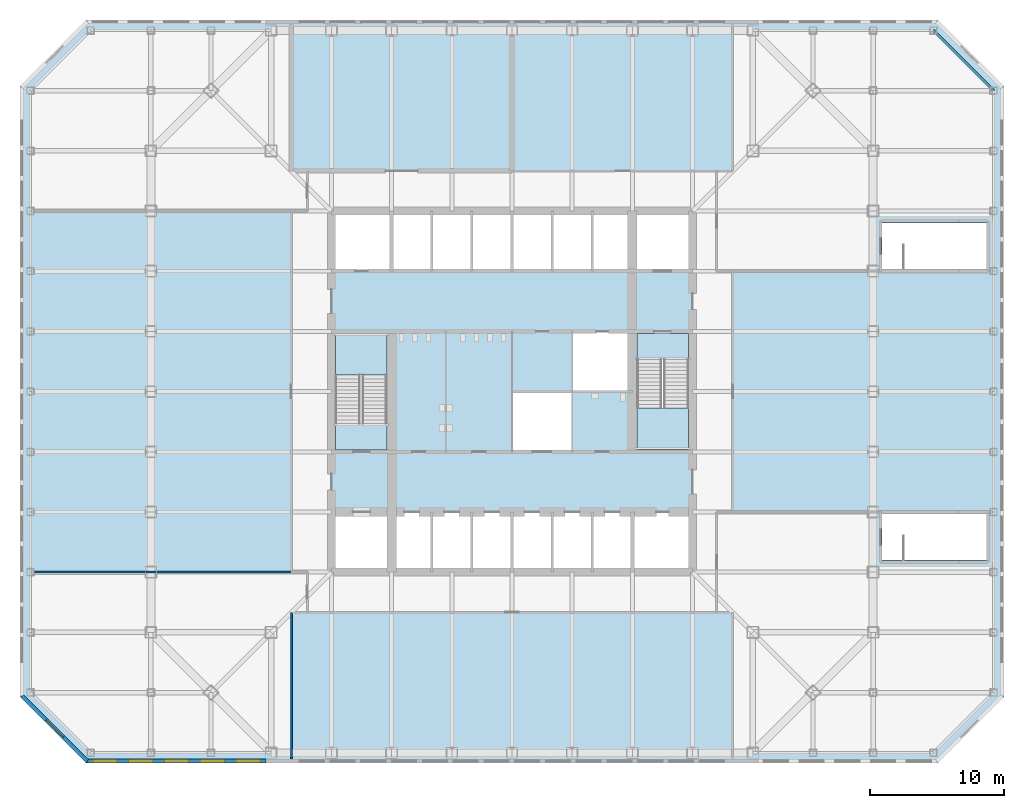
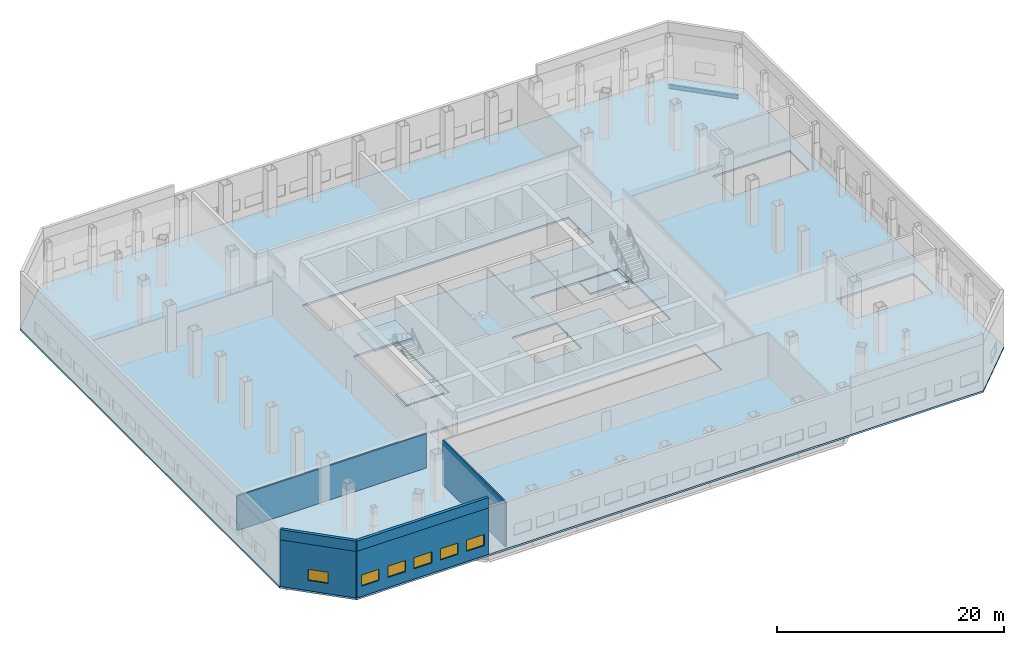
# One storey, part 5 of 14: 6 walls, 6 windows, 5 slabs, 1 beam, 6 openings, 2 elements without a shape of their own.
"""IFC4 building model written with IfcOpenShell, lengths in metres."""

from ifc_helpers import new_model, si_unit, direction, frame, frame_2d, origin, origin_2d, place, context, subcontext, project, spatial, polyline, rectangle, i_section, outline, extrude, material, layer, layer_set, material_profile, profile_set, type_object, element, fill, aggregate, save


model = new_model("IFC4")

# Units and contexts
model_context = context("Model", 3, precision=1e-05, world=origin(), true_north=direction((0.0, 1.0)))
body_context = subcontext(model_context, "Body", "Model", "MODEL_VIEW")
ifc_project = project(units=[si_unit("LENGTHUNIT", "METRE"), si_unit("AREAUNIT", "SQUARE_METRE"), si_unit("VOLUMEUNIT", "CUBIC_METRE"), si_unit("PLANEANGLEUNIT", "RADIAN"), si_unit("MASSUNIT", "GRAM", prefix="KILO")], contexts=[model_context])

# Site, building, storey
site_placement = place(None, origin())
site = spatial("IfcSite", under=ifc_project, at=site_placement, CompositionType="ELEMENT")
building_placement = place(site_placement, origin())
building = spatial("IfcBuilding", under=site, at=building_placement, Name="Corais Broadcast Tower", CompositionType="ELEMENT")
storey_placement = place(building_placement, frame((0.0, 0.0, 18.0)))
storey = spatial("IfcBuildingStorey", under=building, at=storey_placement, Name="L03", CompositionType="ELEMENT", Elevation=18.0)

# Beam
ifc_material_1 = material(Name="Steel ASTM A572 Grade 50", Category="steel")
ifc_material_profile = material_profile(ifc_material_1, i_section(OverallWidth=0.18994140625, OverallDepth=0.45703125, WebThickness=0.009033203125, FlangeThickness=0.014404296875, at=origin_2d()), Name="W460x74")
ifc_profile_set = profile_set([ifc_material_profile], Name="Steel ASTM A572 Grade 50")
beam_type = type_object("IfcBeamType", Name="Wing edge beam W460x74", PredefinedType="BEAM", material=ifc_profile_set)
beam_placement = place(storey_placement, frame((63.0, 49.5, -0.428466796875), z_axis=(-0.707106781187, 0.707106781187, 0.0), x_axis=(-0.707106781187, -0.707106781187, 0.0)))
element("IfcBeam", 1, at=beam_placement, inside=storey, type_object=beam_type, Name="B7 M/17 to N/16", PredefinedType="BEAM", context=body_context, shape_type="SweptSolid", body=[
    extrude(i_section(OverallWidth=0.18994140625, OverallDepth=0.45703125, WebThickness=0.009033203125, FlangeThickness=0.014404296875, at=origin_2d()), origin(), (0.0, 0.0, 1.0), 6.364013671875),
])

# Slab
ifc_material_2 = material(Name="Concrete C30/37", Category="concrete")
ifc_layer_1 = layer(ifc_material_2, 0.199951171875)
ifc_layer_set_1 = layer_set([ifc_layer_1], Name="Concrete C30/37")
slab_type_1 = type_object("IfcSlabType", Name="Composite floor slab 200", PredefinedType="FLOOR", material=ifc_layer_set_1)
slab_1_placement = place(storey_placement, frame((0.0, 0.0, -0.199951171875)))
element("IfcSlab", 2, at=slab_1_placement, inside=storey, type_object=slab_type_1, Name="S200 floor slab L03", PredefinedType="FLOOR", context=body_context, shape_type="SweptSolid", body=[
    extrude(outline(polyline([(-4.822998046875, -0.780029296875), (-9.780029296875, 4.177001953125), (-9.780029296875, 49.822998046875), (-4.822998046875, 54.780029296875), (58.822998046875, 54.780029296875), (63.780029296875, 49.822998046875), (63.780029296875, 4.177001953125), (58.822998046875, -0.780029296875), (-4.822998046875, -0.780029296875)]), holes=[polyline([(13.5, 18.0), (40.5, 18.0), (40.5, 13.5), (13.5, 13.5), (13.5, 18.0)]), polyline([(18.0, 22.5), (13.5, 22.5), (13.5, 31.5), (18.0, 31.5), (18.0, 22.5)]), polyline([(13.5, 40.5), (40.5, 40.5), (40.5, 36.0), (13.5, 36.0), (13.5, 40.5)]), polyline([(27.0, 22.5), (27.0, 27.0), (31.4951171875, 27.0), (31.4951171875, 27.0048828125), (31.5, 27.0048828125), (31.5, 31.5), (40.5, 31.5), (40.5, 22.5), (36.0, 22.5), (36.0, 27.0), (31.5048828125, 27.0), (31.5048828125, 26.9951171875), (31.5, 26.9951171875), (31.5, 22.5), (27.0, 22.5)]), polyline([(54.675048828125, 14.39990234375), (54.675048828125, 17.85009765625), (62.47509765625, 17.85009765625), (62.47509765625, 14.39990234375), (54.675048828125, 14.39990234375)]), polyline([(54.675048828125, 36.14990234375), (54.675048828125, 39.60009765625), (62.47509765625, 39.60009765625), (62.47509765625, 36.14990234375), (54.675048828125, 36.14990234375)])]), origin(), (0.0, 0.0, 1.0), 0.199951171875),
])

# Stair, slabs
ifc_material_3 = material(Name="Concrete C30/37", Category="concrete")
stair_type = type_object("IfcStairType", Name="Half-turn stair 5000", PredefinedType="HALF_TURN_STAIR", material=ifc_material_3)
stair_1_placement = place(storey_placement, origin())
stair_1 = element("IfcStair", 3, at=stair_1_placement, inside=storey, type_object=stair_type, Name="Stair A L03", PredefinedType="HALF_TURN_STAIR")
ifc_material_4 = material(Name="Concrete C30/37", Category="concrete")
ifc_layer_2 = layer(ifc_material_4, 0.199951171875)
ifc_layer_set_2 = layer_set([ifc_layer_2], Name="Concrete C30/37")
slab_type_2 = type_object("IfcSlabType", Name="Stair landing 200", PredefinedType="LANDING", material=ifc_layer_set_2)
slab_2_placement = place(storey_placement, frame((0.0, 0.0, -0.199951171875)))
slab_2 = element("IfcSlab", 4, at=slab_2_placement, type_object=slab_type_2, Name="STA landing 1", PredefinedType="LANDING", context=body_context, shape_type="SweptSolid", body=[
    extrude(outline(polyline([(13.800048828125, 22.64990234375), (17.64990234375, 22.64990234375), (17.64990234375, 24.60009765625), (13.800048828125, 24.60009765625), (13.800048828125, 22.64990234375)])), origin(), (0.0, 0.0, 1.0), 0.199951171875),
])
slab_3_placement = place(storey_placement, frame((0.0, 0.0, 2.300048828125)))
slab_3 = element("IfcSlab", 5, at=slab_3_placement, type_object=slab_type_2, Name="STA landing 2", PredefinedType="LANDING", context=body_context, shape_type="SweptSolid", body=[
    extrude(outline(polyline([(13.800048828125, 28.239990234375), (17.64990234375, 28.239990234375), (17.64990234375, 31.35009765625), (13.800048828125, 31.35009765625), (13.800048828125, 28.239990234375)])), origin(), (0.0, 0.0, 1.0), 0.199951171875),
])
aggregate(stair_1, [slab_2, slab_3])

stair_2_placement = place(storey_placement, origin())
stair_2 = element("IfcStair", 6, at=stair_2_placement, inside=storey, type_object=stair_type, Name="Stair B L03", PredefinedType="HALF_TURN_STAIR")
slab_4_placement = place(storey_placement, frame((0.0, 0.0, -0.199951171875)))
slab_4 = element("IfcSlab", 7, at=slab_4_placement, type_object=slab_type_2, Name="STB landing 1", PredefinedType="LANDING", context=body_context, shape_type="SweptSolid", body=[
    extrude(outline(polyline([(36.35009765625, 29.39990234375), (40.199951171875, 29.39990234375), (40.199951171875, 31.35009765625), (36.35009765625, 31.35009765625), (36.35009765625, 29.39990234375)])), origin(), (0.0, 0.0, 1.0), 0.199951171875),
])
slab_5_placement = place(storey_placement, frame((0.0, 0.0, 2.300048828125)))
slab_5 = element("IfcSlab", 8, at=slab_5_placement, type_object=slab_type_2, Name="STB landing 2", PredefinedType="LANDING", context=body_context, shape_type="SweptSolid", body=[
    extrude(outline(polyline([(36.35009765625, 22.64990234375), (40.199951171875, 22.64990234375), (40.199951171875, 25.760009765625), (36.35009765625, 25.760009765625), (36.35009765625, 22.64990234375)])), origin(), (0.0, 0.0, 1.0), 0.199951171875),
])
aggregate(stair_2, [slab_4, slab_5])

# Walls
ifc_material_5 = material(Name="Precast concrete C40/50", Category="concrete")
ifc_layer_3 = layer(ifc_material_5, 0.300048828125)
ifc_layer_set_3 = layer_set([ifc_layer_3], Name="Precast concrete C40/50")
wall_type_1 = type_object("IfcWallType", Name="Parapet wall 300", PredefinedType="PARAPET", material=ifc_layer_set_3)
wall_1_placement = place(storey_placement, frame((-4.760986328125, -0.6298828125, 5.0), z_axis=(0.0, 0.0, 1.0), x_axis=(-0.707106781187, 0.707106781187, 0.0)))
element("IfcWall", 9, at=wall_1_placement, inside=storey, type_object=wall_type_1, Name="PW1 parapet L03", PredefinedType="PARAPET", context=body_context, shape_type="SweptSolid", body=[
    extrude(rectangle(XDim=6.8857421875, YDim=0.300048828125, at=frame_2d((3.44287109375, 0.0))), origin(), (0.0, 0.0, 1.0), 1.10009765625),
])
wall_2_placement = place(storey_placement, frame((8.59765625, -0.6298828125, 5.0), z_axis=(0.0, 0.0, 1.0), x_axis=(-1.0, 0.0, 0.0)))
element("IfcWall", 10, at=wall_2_placement, inside=storey, type_object=wall_type_1, Name="PW1 parapet L03", PredefinedType="PARAPET", context=body_context, shape_type="SweptSolid", body=[
    extrude(rectangle(XDim=13.358642578125, YDim=0.300048828125, at=frame_2d((6.67919921875, 0.0))), origin(), (0.0, 0.0, 1.0), 1.10009765625),
])
ifc_material_6 = material(Name="Gypsum board on steel studs", Category="steel")
ifc_layer_4 = layer(ifc_material_6, 0.14990234375)
ifc_layer_set_4 = layer_set([ifc_layer_4], Name="Gypsum board on steel studs")
wall_type_2 = type_object("IfcWallType", Name="Partition 150", PredefinedType="PARTITIONING", material=ifc_layer_set_4)
wall_3_placement = place(storey_placement, frame((10.5, 10.5, 0.0), z_axis=(0.0, 0.0, 1.0), x_axis=(0.0, -1.0, 0.0)))
element("IfcWall", 11, at=wall_3_placement, inside=storey, type_object=wall_type_2, Name="IW3 partition L03", PredefinedType="PARTITIONING", context=body_context, shape_type="SweptSolid", body=[
    extrude(rectangle(XDim=10.97998046875, YDim=0.14990234375, at=frame_2d((5.489990234375, 0.0))), origin(), (0.0, 0.0, 1.0), 4.800048828125),
])
wall_4_placement = place(storey_placement, frame((-8.739990234375, 13.5, 0.0), z_axis=(0.0, 0.0, 1.0), x_axis=(1.0, 0.0, 0.0)))
element("IfcWall", 12, at=wall_4_placement, inside=storey, type_object=wall_type_2, Name="IW3 partition L03", PredefinedType="PARTITIONING", context=body_context, shape_type="SweptSolid", body=[
    extrude(rectangle(XDim=19.239990234375, YDim=0.14990234375, at=frame_2d((9.6201171875, 0.0))), origin(), (0.0, 0.0, 1.0), 3.681884765625),
])

# Wall, opening, window
ifc_material_7 = material(Name="Precast concrete C40/50", Category="concrete")
ifc_layer_5 = layer(ifc_material_7, 0.300048828125)
ifc_layer_set_5 = layer_set([ifc_layer_5], Name="Precast concrete C40/50")
wall_type_3 = type_object("IfcWallType", Name="Stone-faced precast wall 300", PredefinedType="SOLIDWALL", material=ifc_layer_set_5)
wall_5_placement = place(storey_placement, frame((-4.760986328125, -0.6298828125, 0.0), z_axis=(0.0, 0.0, 1.0), x_axis=(-0.707106781187, 0.707106781187, 0.0)))
wall_5 = element("IfcWall", 13, at=wall_5_placement, inside=storey, type_object=wall_type_3, Name="EW1 external wall L03 1", PredefinedType="SOLIDWALL", context=body_context, shape_type="SweptSolid", body=[
    extrude(rectangle(XDim=6.8857421875, YDim=0.300048828125, at=frame_2d((3.44287109375, 0.0))), origin(), (0.0, 0.0, 1.0), 5.0),
])
opening_1_placement = place(wall_5_placement, frame((2.54296875, 0.0, 1.10009765625)))
opening_1 = element("IfcOpeningElement", 14, at=opening_1_placement, cuts=wall_5, Name="Opening W1", PredefinedType="OPENING", context=body_context, shape_type="SweptSolid", body=[
    extrude(rectangle(XDim=1.800048828125, YDim=1.199951171875, at=frame_2d((0.89990234375, 0.60009765625))), frame((0.0, 0.159912109375, 0.0), z_axis=(0.0, -1.0, 0.0), x_axis=(1.0, 0.0, 0.0)), (0.0, 0.0, 1.0), 0.320068359375),
])
ifc_material_8 = material(Name="Aluminium frame", Category="aluminium")
window_type = type_object("IfcWindowType", Name="Fixed window 1800x1200", PartitioningType="SINGLE_PANEL", PredefinedType="WINDOW", material=ifc_material_8)
window_1_placement = place(opening_1_placement, origin())
window_1 = element("IfcWindow", 15, at=window_1_placement, inside=storey, type_object=window_type, Name="W1 window L03", OverallHeight=1.199951171875, OverallWidth=1.800048828125, PartitioningType="SINGLE_PANEL", PredefinedType="WINDOW", context=body_context, shape_type="SweptSolid", body=[
    extrude(rectangle(XDim=1.800048828125, YDim=1.199951171875, at=frame_2d((0.89990234375, 0.60009765625))), frame((0.0, 0.030029296875, 0.0), z_axis=(0.0, -1.0, 0.0), x_axis=(1.0, 0.0, 0.0)), (0.0, 0.0, 1.0), 0.06005859375),
])
fill(opening_1, window_1)

# Wall, openings, windows
wall_6_placement = place(storey_placement, frame((8.59765625, -0.6298828125, 0.0), z_axis=(0.0, 0.0, 1.0), x_axis=(-1.0, 0.0, 0.0)))
wall_6 = element("IfcWall", 16, at=wall_6_placement, inside=storey, type_object=wall_type_3, Name="EW1 external wall L03 8", PredefinedType="SOLIDWALL", context=body_context, shape_type="SweptSolid", body=[
    extrude(rectangle(XDim=13.358642578125, YDim=0.300048828125, at=frame_2d((6.67919921875, 0.0))), origin(), (0.0, 0.0, 1.0), 5.0),
])
opening_2_placement = place(wall_6_placement, frame((0.435791015625, 0.0, 1.10009765625)))
opening_2 = element("IfcOpeningElement", 17, at=opening_2_placement, cuts=wall_6, Name="Opening W1", PredefinedType="OPENING", context=body_context, shape_type="SweptSolid", body=[
    extrude(rectangle(XDim=1.800048828125, YDim=1.199951171875, at=frame_2d((0.89990234375, 0.60009765625))), frame((0.0, 0.159912109375, 0.0), z_axis=(0.0, -1.0, 0.0), x_axis=(1.0, 0.0, 0.0)), (0.0, 0.0, 1.0), 0.320068359375),
])
opening_3_placement = place(wall_6_placement, frame((3.107666015625, 0.0, 1.10009765625)))
opening_3 = element("IfcOpeningElement", 18, at=opening_3_placement, cuts=wall_6, Name="Opening W1", PredefinedType="OPENING", context=body_context, shape_type="SweptSolid", body=[
    extrude(rectangle(XDim=1.800048828125, YDim=1.199951171875, at=frame_2d((0.89990234375, 0.60009765625))), frame((0.0, 0.159912109375, 0.0), z_axis=(0.0, -1.0, 0.0), x_axis=(1.0, 0.0, 0.0)), (0.0, 0.0, 1.0), 0.320068359375),
])
opening_4_placement = place(wall_6_placement, frame((5.779296875, 0.0, 1.10009765625)))
opening_4 = element("IfcOpeningElement", 19, at=opening_4_placement, cuts=wall_6, Name="Opening W1", PredefinedType="OPENING", context=body_context, shape_type="SweptSolid", body=[
    extrude(rectangle(XDim=1.800048828125, YDim=1.199951171875, at=frame_2d((0.89990234375, 0.60009765625))), frame((0.0, 0.159912109375, 0.0), z_axis=(0.0, -1.0, 0.0), x_axis=(1.0, 0.0, 0.0)), (0.0, 0.0, 1.0), 0.320068359375),
])
opening_5_placement = place(wall_6_placement, frame((8.450927734375, 0.0, 1.10009765625)))
opening_5 = element("IfcOpeningElement", 20, at=opening_5_placement, cuts=wall_6, Name="Opening W1", PredefinedType="OPENING", context=body_context, shape_type="SweptSolid", body=[
    extrude(rectangle(XDim=1.800048828125, YDim=1.199951171875, at=frame_2d((0.89990234375, 0.60009765625))), frame((0.0, 0.159912109375, 0.0), z_axis=(0.0, -1.0, 0.0), x_axis=(1.0, 0.0, 0.0)), (0.0, 0.0, 1.0), 0.320068359375),
])
opening_6_placement = place(wall_6_placement, frame((11.122802734375, 0.0, 1.10009765625)))
opening_6 = element("IfcOpeningElement", 21, at=opening_6_placement, cuts=wall_6, Name="Opening W1", PredefinedType="OPENING", context=body_context, shape_type="SweptSolid", body=[
    extrude(rectangle(XDim=1.800048828125, YDim=1.199951171875, at=frame_2d((0.89990234375, 0.60009765625))), frame((0.0, 0.159912109375, 0.0), z_axis=(0.0, -1.0, 0.0), x_axis=(1.0, 0.0, 0.0)), (0.0, 0.0, 1.0), 0.320068359375),
])
window_2_placement = place(opening_2_placement, origin())
window_2 = element("IfcWindow", 22, at=window_2_placement, inside=storey, type_object=window_type, Name="W1 window L03", OverallHeight=1.199951171875, OverallWidth=1.800048828125, PartitioningType="SINGLE_PANEL", PredefinedType="WINDOW", context=body_context, shape_type="SweptSolid", body=[
    extrude(rectangle(XDim=1.800048828125, YDim=1.199951171875, at=frame_2d((0.89990234375, 0.60009765625))), frame((0.0, 0.030029296875, 0.0), z_axis=(0.0, -1.0, 0.0), x_axis=(1.0, 0.0, 0.0)), (0.0, 0.0, 1.0), 0.06005859375),
])
fill(opening_2, window_2)
window_3_placement = place(opening_3_placement, origin())
window_3 = element("IfcWindow", 23, at=window_3_placement, inside=storey, type_object=window_type, Name="W1 window L03", OverallHeight=1.199951171875, OverallWidth=1.800048828125, PartitioningType="SINGLE_PANEL", PredefinedType="WINDOW", context=body_context, shape_type="SweptSolid", body=[
    extrude(rectangle(XDim=1.800048828125, YDim=1.199951171875, at=frame_2d((0.89990234375, 0.60009765625))), frame((0.0, 0.030029296875, 0.0), z_axis=(0.0, -1.0, 0.0), x_axis=(1.0, 0.0, 0.0)), (0.0, 0.0, 1.0), 0.06005859375),
])
fill(opening_3, window_3)
window_4_placement = place(opening_4_placement, origin())
window_4 = element("IfcWindow", 24, at=window_4_placement, inside=storey, type_object=window_type, Name="W1 window L03", OverallHeight=1.199951171875, OverallWidth=1.800048828125, PartitioningType="SINGLE_PANEL", PredefinedType="WINDOW", context=body_context, shape_type="SweptSolid", body=[
    extrude(rectangle(XDim=1.800048828125, YDim=1.199951171875, at=frame_2d((0.89990234375, 0.60009765625))), frame((0.0, 0.030029296875, 0.0), z_axis=(0.0, -1.0, 0.0), x_axis=(1.0, 0.0, 0.0)), (0.0, 0.0, 1.0), 0.06005859375),
])
fill(opening_4, window_4)
window_5_placement = place(opening_5_placement, origin())
window_5 = element("IfcWindow", 25, at=window_5_placement, inside=storey, type_object=window_type, Name="W1 window L03", OverallHeight=1.199951171875, OverallWidth=1.800048828125, PartitioningType="SINGLE_PANEL", PredefinedType="WINDOW", context=body_context, shape_type="SweptSolid", body=[
    extrude(rectangle(XDim=1.800048828125, YDim=1.199951171875, at=frame_2d((0.89990234375, 0.60009765625))), frame((0.0, 0.030029296875, 0.0), z_axis=(0.0, -1.0, 0.0), x_axis=(1.0, 0.0, 0.0)), (0.0, 0.0, 1.0), 0.06005859375),
])
fill(opening_5, window_5)
window_6_placement = place(opening_6_placement, origin())
window_6 = element("IfcWindow", 26, at=window_6_placement, inside=storey, type_object=window_type, Name="W1 window L03", OverallHeight=1.199951171875, OverallWidth=1.800048828125, PartitioningType="SINGLE_PANEL", PredefinedType="WINDOW", context=body_context, shape_type="SweptSolid", body=[
    extrude(rectangle(XDim=1.800048828125, YDim=1.199951171875, at=frame_2d((0.89990234375, 0.60009765625))), frame((0.0, 0.030029296875, 0.0), z_axis=(0.0, -1.0, 0.0), x_axis=(1.0, 0.0, 0.0)), (0.0, 0.0, 1.0), 0.06005859375),
])
fill(opening_6, window_6)

save(model, "model.ifc")
